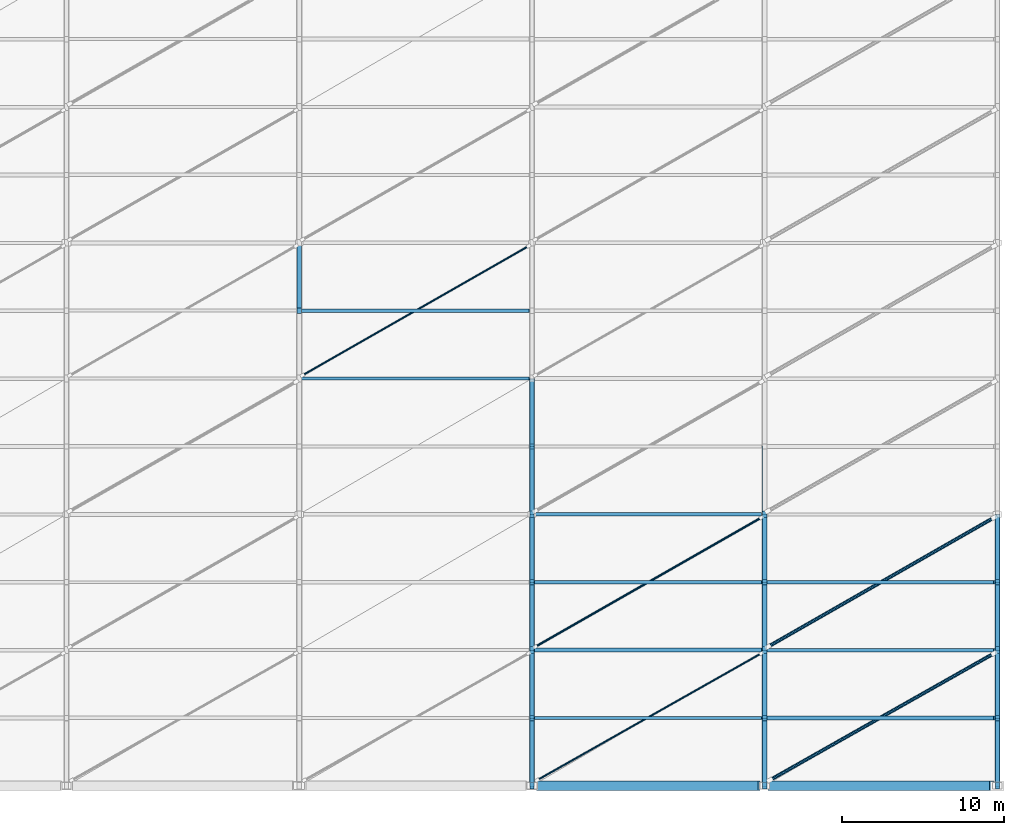
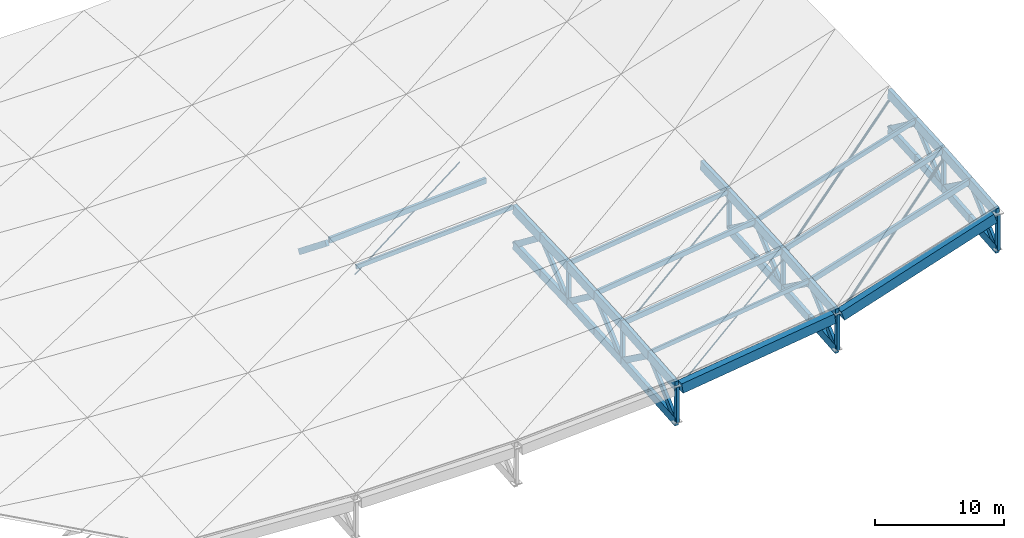
# One storey, part 6 of 22: 37 members, 31 beams.
"""IFC4 building model written with IfcOpenShell, lengths in metres."""

from ifc_helpers import new_model, si_unit, direction, frame, origin, origin_2d, place, context, subcontext, project, spatial, rectangle, hollow_circle, extrude, material, material_profile, profile_set, type_object, element, save


model = new_model("IFC4")

# Units and contexts
model_context = context("Model", 3, precision=1e-05, world=origin(), true_north=direction((0.0, 1.0)))
body_context = subcontext(model_context, "Body", "Model", "MODEL_VIEW")
ifc_project = project(units=[si_unit("LENGTHUNIT", "METRE"), si_unit("AREAUNIT", "SQUARE_METRE"), si_unit("VOLUMEUNIT", "CUBIC_METRE"), si_unit("PLANEANGLEUNIT", "RADIAN"), si_unit("MASSUNIT", "GRAM", prefix="KILO"), si_unit("THERMODYNAMICTEMPERATUREUNIT", "KELVIN")], contexts=[model_context])

# Site, building, storey
site_placement = place(None, origin())
site = spatial("IfcSite", under=ifc_project, at=site_placement, CompositionType="ELEMENT")
building_placement = place(site_placement, origin())
building = spatial("IfcBuilding", under=site, at=building_placement, Name="Nduvali Passage Aquatics Centre", CompositionType="ELEMENT")
storey_placement = place(building_placement, frame((0.0, 0.0, 21.60009765625)))
storey = spatial("IfcBuildingStorey", under=building, at=storey_placement, Name="RF", CompositionType="ELEMENT", Elevation=21.60009765625)

# Beams
ifc_material_1 = material(Name="Glulam GL32c", Category="wood")
ifc_material_profile_1 = material_profile(ifc_material_1, rectangle(XDim=0.320068359375, YDim=0.800048828125, at=origin_2d()), Name="GL32c 320x800")
ifc_profile_set_1 = profile_set([ifc_material_profile_1], Name="Glulam GL32c")
beam_type_1 = type_object("IfcBeamType", Name="STR-BM-GL32-BOT", PredefinedType="BEAM", material=ifc_profile_set_1)
beam_1_placement = place(storey_placement, frame((97.199951171875, 25.199951171875, -11.158447265625), z_axis=(0.0, 0.996548554241, 0.083011921073), x_axis=(-1.0, 0.0, 0.0)))
element("IfcBeam", 1, at=beam_1_placement, inside=storey, type_object=beam_type_1, Name="RF Pool Hall Roof Truss Bottom Chord R6 BC1-1839", PredefinedType="BEAM", context=body_context, shape_type="SweptSolid", body=[
    extrude(rectangle(XDim=0.320068359375, YDim=0.800048828125, at=origin_2d()), origin(), (0.0, 0.0, 1.0), 4.214599609375),
])
beam_2_placement = place(storey_placement, frame((97.199951171875, 29.39990234375, -10.80859375), z_axis=(0.0, 0.996544160125, 0.083064655058), x_axis=(-1.0, 0.0, 0.0)))
element("IfcBeam", 2, at=beam_2_placement, inside=storey, type_object=beam_type_1, Name="RF Pool Hall Roof Truss Bottom Chord R6 BC1-1841", PredefinedType="BEAM", context=body_context, shape_type="SweptSolid", body=[
    extrude(rectangle(XDim=0.320068359375, YDim=0.800048828125, at=origin_2d()), origin(), (0.0, 0.0, 1.0), 4.21484375),
])
for number, where, z_axis, x_axis, name in (
    (3, (97.199951171875, 33.60009765625, -10.45849609375), (0.0, 0.998233110761, 0.059419328339), (-1.0, 0.0, 0.0), "RF Pool Hall Roof Truss Bottom Chord R6 BC1-1843"),
    (4, (97.199951171875, 37.800048828125, -10.20849609375), (0.0, 0.998233110761, 0.059419328339), (-1.0, 0.0, 0.0), "RF Pool Hall Roof Truss Bottom Chord R6 BC1-1845"),
):
    element("IfcBeam", number, at=place(storey_placement, frame(where, z_axis=z_axis, x_axis=x_axis)), inside=storey, type_object=beam_type_1, Name=name, PredefinedType="BEAM", context=body_context, shape_type="SweptSolid", body=[
        extrude(rectangle(XDim=0.320068359375, YDim=0.800048828125, at=origin_2d()), origin(), (0.0, 0.0, 1.0), 4.207275390625),
    ])
for number, where, z_axis, x_axis, name in (
    (5, (97.199951171875, 42.0, -9.95849609375), (0.0, 0.999363668121, 0.035668737559), (-1.0, 0.0, 0.0), "RF Pool Hall Roof Truss Bottom Chord R6 BC1-1847"),
    (6, (97.199951171875, 46.199951171875, -9.80859375), (0.0, 0.999361595677, 0.035726755876), (-1.0, 0.0, 0.0), "RF Pool Hall Roof Truss Bottom Chord R6 BC1-1849"),
):
    element("IfcBeam", number, at=place(storey_placement, frame(where, z_axis=z_axis, x_axis=x_axis)), inside=storey, type_object=beam_type_1, Name=name, PredefinedType="BEAM", context=body_context, shape_type="SweptSolid", body=[
        extrude(rectangle(XDim=0.320068359375, YDim=0.800048828125, at=origin_2d()), origin(), (0.0, 0.0, 1.0), 4.20263671875),
    ])
beam_3_placement = place(storey_placement, frame((111.60009765625, 25.199951171875, -9.32275390625), z_axis=(0.0, 0.996548554241, 0.083011921073), x_axis=(-1.0, 0.0, 0.0)))
element("IfcBeam", 7, at=beam_3_placement, inside=storey, type_object=beam_type_1, Name="RF Pool Hall Roof Truss Bottom Chord R7 BC1-1871", PredefinedType="BEAM", context=body_context, shape_type="SweptSolid", body=[
    extrude(rectangle(XDim=0.320068359375, YDim=0.800048828125, at=origin_2d()), origin(), (0.0, 0.0, 1.0), 4.214599609375),
])
beam_4_placement = place(storey_placement, frame((111.60009765625, 29.39990234375, -8.972900390625), z_axis=(0.0, 0.996544160125, 0.083064655058), x_axis=(-1.0, 0.0, 0.0)))
element("IfcBeam", 8, at=beam_4_placement, inside=storey, type_object=beam_type_1, Name="RF Pool Hall Roof Truss Bottom Chord R7 BC1-1873", PredefinedType="BEAM", context=body_context, shape_type="SweptSolid", body=[
    extrude(rectangle(XDim=0.320068359375, YDim=0.800048828125, at=origin_2d()), origin(), (0.0, 0.0, 1.0), 4.21484375),
])
for number, where, z_axis, x_axis, name in (
    (9, (111.60009765625, 33.60009765625, -8.622802734375), (0.0, 0.998233110761, 0.059419328339), (-1.0, 0.0, 0.0), "RF Pool Hall Roof Truss Bottom Chord R7 BC1-1875"),
    (10, (111.60009765625, 37.800048828125, -8.372802734375), (0.0, 0.998233110761, 0.059419328339), (-1.0, 0.0, 0.0), "RF Pool Hall Roof Truss Bottom Chord R7 BC1-1877"),
):
    element("IfcBeam", number, at=place(storey_placement, frame(where, z_axis=z_axis, x_axis=x_axis)), inside=storey, type_object=beam_type_1, Name=name, PredefinedType="BEAM", context=body_context, shape_type="SweptSolid", body=[
        extrude(rectangle(XDim=0.320068359375, YDim=0.800048828125, at=origin_2d()), origin(), (0.0, 0.0, 1.0), 4.207275390625),
    ])
beam_5_placement = place(storey_placement, frame((126.0, 25.199951171875, -4.8740234375), z_axis=(0.0, 0.996548554241, 0.083011921073), x_axis=(-1.0, 0.0, 0.0)))
element("IfcBeam", 11, at=beam_5_placement, inside=storey, type_object=beam_type_1, Name="RF Pool Hall Roof Truss Bottom Chord R8 BC1-1903", PredefinedType="BEAM", context=body_context, shape_type="SweptSolid", body=[
    extrude(rectangle(XDim=0.320068359375, YDim=0.800048828125, at=origin_2d()), origin(), (0.0, 0.0, 1.0), 4.214599609375),
])
beam_6_placement = place(storey_placement, frame((126.0, 29.39990234375, -4.524169921875), z_axis=(0.0, 0.996544160125, 0.083064655058), x_axis=(-1.0, 0.0, 0.0)))
element("IfcBeam", 12, at=beam_6_placement, inside=storey, type_object=beam_type_1, Name="RF Pool Hall Roof Truss Bottom Chord R8 BC1-1905", PredefinedType="BEAM", context=body_context, shape_type="SweptSolid", body=[
    extrude(rectangle(XDim=0.320068359375, YDim=0.800048828125, at=origin_2d()), origin(), (0.0, 0.0, 1.0), 4.21484375),
])
for number, where, z_axis, x_axis, name in (
    (13, (126.0, 33.60009765625, -4.174072265625), (0.0, 0.998233110761, 0.059419328339), (-1.0, 0.0, 0.0), "RF Pool Hall Roof Truss Bottom Chord R8 BC1-1907"),
    (14, (126.0, 37.800048828125, -3.924072265625), (0.0, 0.998233110761, 0.059419328339), (-1.0, 0.0, 0.0), "RF Pool Hall Roof Truss Bottom Chord R8 BC1-1909"),
):
    element("IfcBeam", number, at=place(storey_placement, frame(where, z_axis=z_axis, x_axis=x_axis)), inside=storey, type_object=beam_type_1, Name=name, PredefinedType="BEAM", context=body_context, shape_type="SweptSolid", body=[
        extrude(rectangle(XDim=0.320068359375, YDim=0.800048828125, at=origin_2d()), origin(), (0.0, 0.0, 1.0), 4.207275390625),
    ])
ifc_material_profile_2 = material_profile(ifc_material_1, rectangle(XDim=0.320068359375, YDim=0.9599609375, at=origin_2d()), Name="GL32c 320x960")
ifc_profile_set_2 = profile_set([ifc_material_profile_2], Name="Glulam GL32c")
beam_type_2 = type_object("IfcBeamType", Name="STR-BM-GL32-END", PredefinedType="BEAM", material=ifc_profile_set_2)
beam_7_placement = place(storey_placement, frame((126.0, 25.199951171875, -1.47412109375), z_axis=(0.0, 0.996543760423, 0.083069450238), x_axis=(-1.0, 0.0, 0.0)))
element("IfcBeam", 15, at=beam_7_placement, inside=storey, type_object=beam_type_2, Name="RF Pool Hall Roof Truss Top Chord R8 TC0-1902", PredefinedType="BEAM", context=body_context, shape_type="SweptSolid", body=[
    extrude(rectangle(XDim=0.320068359375, YDim=0.9599609375, at=origin_2d()), origin(), (0.0, 0.0, 1.0), 4.214599609375),
])
beam_8_placement = place(storey_placement, frame((126.0, 29.39990234375, -1.1240234375), z_axis=(0.0, 0.996548953392, 0.083007129168), x_axis=(-1.0, 0.0, 0.0)))
element("IfcBeam", 16, at=beam_8_placement, inside=storey, type_object=beam_type_2, Name="RF Pool Hall Roof Truss Top Chord R8 TC0-1904", PredefinedType="BEAM", context=body_context, shape_type="SweptSolid", body=[
    extrude(rectangle(XDim=0.320068359375, YDim=0.9599609375, at=origin_2d()), origin(), (0.0, 0.0, 1.0), 4.21484375),
])
for number, where, z_axis, x_axis, name in (
    (17, (126.0, 33.60009765625, -0.774169921875), (0.0, 0.998233110761, 0.059419328339), (-1.0, 0.0, 0.0), "RF Pool Hall Roof Truss Top Chord R8 TC0-1906"),
    (18, (126.0, 37.800048828125, -0.524169921875), (0.0, 0.998233110761, 0.059419328339), (-1.0, 0.0, 0.0), "RF Pool Hall Roof Truss Top Chord R8 TC0-1908"),
):
    element("IfcBeam", number, at=place(storey_placement, frame(where, z_axis=z_axis, x_axis=x_axis)), inside=storey, type_object=beam_type_2, Name=name, PredefinedType="BEAM", context=body_context, shape_type="SweptSolid", body=[
        extrude(rectangle(XDim=0.320068359375, YDim=0.9599609375, at=origin_2d()), origin(), (0.0, 0.0, 1.0), 4.207275390625),
    ])
ifc_material_profile_3 = material_profile(ifc_material_1, rectangle(XDim=0.320068359375, YDim=0.89990234375, at=origin_2d()), Name="GL32c 320x900")
ifc_profile_set_3 = profile_set([ifc_material_profile_3], Name="Glulam GL32c")
beam_type_3 = type_object("IfcBeamType", Name="STR-BM-GL32-TOP", PredefinedType="BEAM", material=ifc_profile_set_3)
beam_9_placement = place(storey_placement, frame((97.199951171875, 25.199951171875, -7.758544921875), z_axis=(0.0, 0.996543760423, 0.083069450238), x_axis=(-1.0, 0.0, 0.0)))
element("IfcBeam", 19, at=beam_9_placement, inside=storey, type_object=beam_type_3, Name="RF Pool Hall Roof Truss Top Chord R6 TC1-1838", PredefinedType="BEAM", context=body_context, shape_type="SweptSolid", body=[
    extrude(rectangle(XDim=0.320068359375, YDim=0.89990234375, at=origin_2d()), origin(), (0.0, 0.0, 1.0), 4.214599609375),
])
beam_10_placement = place(storey_placement, frame((97.199951171875, 29.39990234375, -7.408447265625), z_axis=(0.0, 0.996548953392, 0.083007129168), x_axis=(-1.0, 0.0, 0.0)))
element("IfcBeam", 20, at=beam_10_placement, inside=storey, type_object=beam_type_3, Name="RF Pool Hall Roof Truss Top Chord R6 TC1-1840", PredefinedType="BEAM", context=body_context, shape_type="SweptSolid", body=[
    extrude(rectangle(XDim=0.320068359375, YDim=0.89990234375, at=origin_2d()), origin(), (0.0, 0.0, 1.0), 4.21484375),
])
for number, where, z_axis, x_axis, name in (
    (21, (97.199951171875, 33.60009765625, -7.05859375), (0.0, 0.998233110761, 0.059419328339), (-1.0, 0.0, 0.0), "RF Pool Hall Roof Truss Top Chord R6 TC1-1842"),
    (22, (97.199951171875, 37.800048828125, -6.80859375), (0.0, 0.998233110761, 0.059419328339), (-1.0, 0.0, 0.0), "RF Pool Hall Roof Truss Top Chord R6 TC1-1844"),
):
    element("IfcBeam", number, at=place(storey_placement, frame(where, z_axis=z_axis, x_axis=x_axis)), inside=storey, type_object=beam_type_3, Name=name, PredefinedType="BEAM", context=body_context, shape_type="SweptSolid", body=[
        extrude(rectangle(XDim=0.320068359375, YDim=0.89990234375, at=origin_2d()), origin(), (0.0, 0.0, 1.0), 4.207275390625),
    ])
for number, where, z_axis, x_axis, name in (
    (23, (97.199951171875, 42.0, -6.55859375), (0.0, 0.999361595677, 0.035726755876), (-1.0, 0.0, 0.0), "RF Pool Hall Roof Truss Top Chord R6 TC1-1846"),
    (24, (97.199951171875, 46.199951171875, -6.408447265625), (0.0, 0.999363668121, 0.035668737559), (-1.0, 0.0, 0.0), "RF Pool Hall Roof Truss Top Chord R6 TC1-1848"),
):
    element("IfcBeam", number, at=place(storey_placement, frame(where, z_axis=z_axis, x_axis=x_axis)), inside=storey, type_object=beam_type_3, Name=name, PredefinedType="BEAM", context=body_context, shape_type="SweptSolid", body=[
        extrude(rectangle(XDim=0.320068359375, YDim=0.89990234375, at=origin_2d()), origin(), (0.0, 0.0, 1.0), 4.20263671875),
    ])
beam_11_placement = place(storey_placement, frame((111.60009765625, 25.199951171875, -5.9228515625), z_axis=(0.0, 0.996543760423, 0.083069450238), x_axis=(-1.0, 0.0, 0.0)))
element("IfcBeam", 25, at=beam_11_placement, inside=storey, type_object=beam_type_3, Name="RF Pool Hall Roof Truss Top Chord R7 TC1-1870", PredefinedType="BEAM", context=body_context, shape_type="SweptSolid", body=[
    extrude(rectangle(XDim=0.320068359375, YDim=0.89990234375, at=origin_2d()), origin(), (0.0, 0.0, 1.0), 4.214599609375),
])
beam_12_placement = place(storey_placement, frame((111.60009765625, 29.39990234375, -5.57275390625), z_axis=(0.0, 0.996548953392, 0.083007129168), x_axis=(-1.0, 0.0, 0.0)))
element("IfcBeam", 26, at=beam_12_placement, inside=storey, type_object=beam_type_3, Name="RF Pool Hall Roof Truss Top Chord R7 TC1-1872", PredefinedType="BEAM", context=body_context, shape_type="SweptSolid", body=[
    extrude(rectangle(XDim=0.320068359375, YDim=0.89990234375, at=origin_2d()), origin(), (0.0, 0.0, 1.0), 4.21484375),
])
for number, where, z_axis, x_axis, name in (
    (27, (111.60009765625, 33.60009765625, -5.222900390625), (0.0, 0.998233110761, 0.059419328339), (-1.0, 0.0, 0.0), "RF Pool Hall Roof Truss Top Chord R7 TC1-1874"),
    (28, (111.60009765625, 37.800048828125, -4.972900390625), (0.0, 0.998233110761, 0.059419328339), (-1.0, 0.0, 0.0), "RF Pool Hall Roof Truss Top Chord R7 TC1-1876"),
):
    element("IfcBeam", number, at=place(storey_placement, frame(where, z_axis=z_axis, x_axis=x_axis)), inside=storey, type_object=beam_type_3, Name=name, PredefinedType="BEAM", context=body_context, shape_type="SweptSolid", body=[
        extrude(rectangle(XDim=0.320068359375, YDim=0.89990234375, at=origin_2d()), origin(), (0.0, 0.0, 1.0), 4.207275390625),
    ])
beam_13_placement = place(storey_placement, frame((111.60009765625, 42.0, -4.722900390625), z_axis=(0.0, 0.999361595677, 0.035726755876), x_axis=(-1.0, 0.0, 0.0)))
element("IfcBeam", 29, at=beam_13_placement, inside=storey, type_object=beam_type_3, Name="RF Pool Hall Roof Truss Top Chord R7 TC1-1878", PredefinedType="BEAM", context=body_context, shape_type="SweptSolid", body=[
    extrude(rectangle(XDim=0.320068359375, YDim=0.89990234375, at=origin_2d()), origin(), (0.0, 0.0, 1.0), 4.20263671875),
])
ifc_material_2 = material(Name="Concrete C40/50", Category="concrete")
ifc_material_profile_4 = material_profile(ifc_material_2, rectangle(XDim=0.60009765625, YDim=0.949951171875, at=origin_2d()), Name="RC 600x950")
ifc_profile_set_4 = profile_set([ifc_material_profile_4], Name="Concrete C40/50")
beam_type_4 = type_object("IfcBeamType", Name="STR-BM-RC6095-EXT", PredefinedType="BEAM", material=ifc_profile_set_4)
beam_14_placement = place(storey_placement, frame((97.550048828125, 25.199951171875, -7.9814453125), z_axis=(0.991142078777, 0.0, 0.132805796852), x_axis=(0.0, 1.0, 0.0)))
element("IfcBeam", 30, at=beam_14_placement, inside=storey, type_object=beam_type_4, Name="RF Pool Hall Perimeter Ring Beam B1E-1669", PredefinedType="BEAM", context=body_context, shape_type="SweptSolid", body=[
    extrude(rectangle(XDim=0.60009765625, YDim=0.949951171875, at=origin_2d()), origin(), (0.0, 0.0, 1.0), 13.822509765625),
])
beam_15_placement = place(storey_placement, frame((111.949951171875, 25.199951171875, -6.145751953125), z_axis=(0.950496768294, 0.0, 0.310734442027), x_axis=(0.0, 1.0, 0.0)))
element("IfcBeam", 31, at=beam_15_placement, inside=storey, type_object=beam_type_4, Name="RF Pool Hall Perimeter Ring Beam B1E-1670", PredefinedType="BEAM", context=body_context, shape_type="SweptSolid", body=[
    extrude(rectangle(XDim=0.60009765625, YDim=0.949951171875, at=origin_2d()), origin(), (0.0, 0.0, 1.0), 14.41357421875),
])

# Members
ifc_material_3 = material(Name="Steel S355", Category="steel")
ifc_material_profile_5 = material_profile(ifc_material_3, hollow_circle(Radius=0.05712890625, WallThickness=0.00634765625, at=origin_2d()), Name="CHS 114.3x6.3")
ifc_profile_set_5 = profile_set([ifc_material_profile_5], Name="Steel S355")
member_type_1 = type_object("IfcMemberType", Name="STR-MEM-CHS114", PredefinedType="BRACE", material=ifc_profile_set_5)
member_1_placement = place(storey_placement, frame((83.0, 50.60009765625, -7.627685546875), z_axis=(0.86692029263, 0.49538302436, 0.055180299039), x_axis=(-0.496138938357, 0.868243142124, 0.0)))
element("IfcMember", 32, at=member_1_placement, inside=storey, type_object=member_type_1, Name="Pool Hall Roof Wind Brace B5-P4A", PredefinedType="BRACE", context=body_context, shape_type="SweptSolid", body=[
    extrude(hollow_circle(Radius=0.05712890625, WallThickness=0.00634765625, at=origin_2d()), origin(), (0.0, 0.0, 1.0), 16.149169921875),
])
member_2_placement = place(storey_placement, frame((97.52001953125, 25.550048828125, -8.33642578125), z_axis=(0.859635978687, 0.486172441123, 0.157042483548), x_axis=(-0.492280735282, 0.870436486868, 0.0)))
element("IfcMember", 33, at=member_2_placement, inside=storey, type_object=member_type_1, Name="Pool Hall Roof Wind Brace B6-P1A", PredefinedType="BRACE", context=body_context, shape_type="SweptSolid", body=[
    extrude(hollow_circle(Radius=0.05712890625, WallThickness=0.00634765625, at=origin_2d()), origin(), (0.0, 0.0, 1.0), 16.146240234375),
])
ifc_material_profile_6 = material_profile(ifc_material_3, hollow_circle(Radius=0.06982421875, WallThickness=0.00634765625, at=origin_2d()), Name="CHS 139.7x6.3")
ifc_profile_set_6 = profile_set([ifc_material_profile_6], Name="Steel S355")
member_type_2 = type_object("IfcMemberType", Name="STR-MEM-CHS139", PredefinedType="BRACE", material=ifc_profile_set_6)
member_3_placement = place(storey_placement, frame((97.39990234375, 33.800048828125, -7.636474609375), z_axis=(0.859275049652, 0.491014314087, 0.143357359096), x_axis=(-0.496138938357, 0.868243142124, 0.0)))
element("IfcMember", 34, at=member_3_placement, inside=storey, type_object=member_type_2, Name="Pool Hall Roof Wind Brace B6-P2A", PredefinedType="BRACE", context=body_context, shape_type="SweptSolid", body=[
    extrude(hollow_circle(Radius=0.06982421875, WallThickness=0.00634765625, at=origin_2d()), origin(), (0.0, 0.0, 1.0), 16.292724609375),
])
ifc_material_profile_7 = material_profile(ifc_material_3, hollow_circle(Radius=0.109619140625, WallThickness=0.008056640625, at=origin_2d()), Name="CHS 219.1x8.0")
ifc_profile_set_7 = profile_set([ifc_material_profile_7], Name="Steel S355")
member_type_3 = type_object("IfcMemberType", Name="STR-MEM-CHS219", PredefinedType="BRACE", material=ifc_profile_set_7)
member_4_placement = place(storey_placement, frame((111.919921875, 25.550048828125, -6.500732421875), z_axis=(0.827875824582, 0.468202054206, 0.30888259179), x_axis=(-0.49227417479, 0.870440197162, 0.0)))
element("IfcMember", 35, at=member_4_placement, inside=storey, type_object=member_type_3, Name="Pool Hall Roof Wind Brace B7-P1A", PredefinedType="BRACE", context=body_context, shape_type="SweptSolid", body=[
    extrude(hollow_circle(Radius=0.109619140625, WallThickness=0.008056640625, at=origin_2d()), origin(), (0.0, 0.0, 1.0), 16.765869140625),
])
member_5_placement = place(storey_placement, frame((111.800048828125, 33.800048828125, -5.80078125), z_axis=(0.829596967061, 0.474055409749, 0.295026000092), x_axis=(-0.496138938357, 0.868243142124, 0.0)))
element("IfcMember", 36, at=member_5_placement, inside=storey, type_object=member_type_3, Name="Pool Hall Roof Wind Brace B7-P2A", PredefinedType="BRACE", context=body_context, shape_type="SweptSolid", body=[
    extrude(hollow_circle(Radius=0.109619140625, WallThickness=0.008056640625, at=origin_2d()), origin(), (0.0, 0.0, 1.0), 16.875732421875),
])
ifc_material_4 = material(Name="Glulam GL28h", Category="wood")
ifc_material_profile_8 = material_profile(ifc_material_4, rectangle(XDim=0.260009765625, YDim=0.52001953125, at=origin_2d()), Name="GL28h 260x520")
ifc_profile_set_8 = profile_set([ifc_material_profile_8], Name="Glulam GL28h")
member_type_4 = type_object("IfcMemberType", Name="STR-MEM-GL-DIAG", PredefinedType="CHORD", material=ifc_profile_set_8)
member_6_placement = place(storey_placement, frame((82.800048828125, 54.60009765625, -6.99951171875), z_axis=(0.0, 0.781763575378, -0.623574945145), x_axis=(-1.0, 0.0, 0.0)))
element("IfcMember", 37, at=member_6_placement, inside=storey, type_object=member_type_4, Name="Pool Hall Roof Truss Web Diagonal R5-8", PredefinedType="CHORD", context=body_context, shape_type="SweptSolid", body=[
    extrude(rectangle(XDim=0.260009765625, YDim=0.52001953125, at=origin_2d()), origin(), (0.0, 0.0, 1.0), 5.372314453125),
])
member_7_placement = place(storey_placement, frame((97.199951171875, 25.199951171875, -11.158447265625), z_axis=(0.0, 0.745933814853, 0.666020077669), x_axis=(-1.0, 0.0, 0.0)))
element("IfcMember", 38, at=member_7_placement, inside=storey, type_object=member_type_4, Name="Pool Hall Roof Truss Web Diagonal R6-1", PredefinedType="CHORD", context=body_context, shape_type="SweptSolid", body=[
    extrude(rectangle(XDim=0.260009765625, YDim=0.52001953125, at=origin_2d()), origin(), (0.0, 0.0, 1.0), 5.63037109375),
])
member_8_placement = place(storey_placement, frame((97.199951171875, 29.39990234375, -7.408447265625), z_axis=(0.0, 0.809160952466, -0.587587059937), x_axis=(-1.0, 0.0, 0.0)))
element("IfcMember", 39, at=member_8_placement, inside=storey, type_object=member_type_4, Name="Pool Hall Roof Truss Web Diagonal R6-2", PredefinedType="CHORD", context=body_context, shape_type="SweptSolid", body=[
    extrude(rectangle(XDim=0.260009765625, YDim=0.52001953125, at=origin_2d()), origin(), (0.0, 0.0, 1.0), 5.19091796875),
])
member_9_placement = place(storey_placement, frame((97.199951171875, 33.60009765625, -10.45849609375), z_axis=(0.0, 0.754803851974, 0.655950566007), x_axis=(-1.0, 0.0, 0.0)))
element("IfcMember", 40, at=member_9_placement, inside=storey, type_object=member_type_4, Name="Pool Hall Roof Truss Web Diagonal R6-3", PredefinedType="CHORD", context=body_context, shape_type="SweptSolid", body=[
    extrude(rectangle(XDim=0.260009765625, YDim=0.52001953125, at=origin_2d()), origin(), (0.0, 0.0, 1.0), 5.564208984375),
])
member_10_placement = place(storey_placement, frame((97.199951171875, 37.800048828125, -6.80859375), z_axis=(0.0, 0.800005580426, -0.599992559359), x_axis=(-1.0, 0.0, 0.0)))
element("IfcMember", 41, at=member_10_placement, inside=storey, type_object=member_type_4, Name="Pool Hall Roof Truss Web Diagonal R6-4", PredefinedType="CHORD", context=body_context, shape_type="SweptSolid", body=[
    extrude(rectangle(XDim=0.260009765625, YDim=0.52001953125, at=origin_2d()), origin(), (0.0, 0.0, 1.0), 5.25),
])
member_11_placement = place(storey_placement, frame((97.199951171875, 42.0, -9.95849609375), z_axis=(0.0, 0.763722969403, 0.645544131726), x_axis=(-1.0, 0.0, 0.0)))
element("IfcMember", 42, at=member_11_placement, inside=storey, type_object=member_type_4, Name="Pool Hall Roof Truss Web Diagonal R6-5", PredefinedType="CHORD", context=body_context, shape_type="SweptSolid", body=[
    extrude(rectangle(XDim=0.260009765625, YDim=0.52001953125, at=origin_2d()), origin(), (0.0, 0.0, 1.0), 5.499267578125),
])
member_12_placement = place(storey_placement, frame((97.199951171875, 46.199951171875, -6.408447265625), z_axis=(0.0, 0.790867256885, -0.611987730259), x_axis=(-1.0, 0.0, 0.0)))
element("IfcMember", 43, at=member_12_placement, inside=storey, type_object=member_type_4, Name="Pool Hall Roof Truss Web Diagonal R6-6", PredefinedType="CHORD", context=body_context, shape_type="SweptSolid", body=[
    extrude(rectangle(XDim=0.260009765625, YDim=0.52001953125, at=origin_2d()), origin(), (0.0, 0.0, 1.0), 5.310546875),
])
member_13_placement = place(storey_placement, frame((111.60009765625, 25.199951171875, -9.32275390625), z_axis=(0.0, 0.745933814853, 0.666020077669), x_axis=(-1.0, 0.0, 0.0)))
element("IfcMember", 44, at=member_13_placement, inside=storey, type_object=member_type_4, Name="Pool Hall Roof Truss Web Diagonal R7-1", PredefinedType="CHORD", context=body_context, shape_type="SweptSolid", body=[
    extrude(rectangle(XDim=0.260009765625, YDim=0.52001953125, at=origin_2d()), origin(), (0.0, 0.0, 1.0), 5.63037109375),
])
member_14_placement = place(storey_placement, frame((111.60009765625, 29.39990234375, -5.57275390625), z_axis=(0.0, 0.809160952466, -0.587587059937), x_axis=(-1.0, 0.0, 0.0)))
element("IfcMember", 45, at=member_14_placement, inside=storey, type_object=member_type_4, Name="Pool Hall Roof Truss Web Diagonal R7-2", PredefinedType="CHORD", context=body_context, shape_type="SweptSolid", body=[
    extrude(rectangle(XDim=0.260009765625, YDim=0.52001953125, at=origin_2d()), origin(), (0.0, 0.0, 1.0), 5.19091796875),
])
member_15_placement = place(storey_placement, frame((111.60009765625, 33.60009765625, -8.622802734375), z_axis=(0.0, 0.754803851974, 0.655950566007), x_axis=(-1.0, 0.0, 0.0)))
element("IfcMember", 46, at=member_15_placement, inside=storey, type_object=member_type_4, Name="Pool Hall Roof Truss Web Diagonal R7-3", PredefinedType="CHORD", context=body_context, shape_type="SweptSolid", body=[
    extrude(rectangle(XDim=0.260009765625, YDim=0.52001953125, at=origin_2d()), origin(), (0.0, 0.0, 1.0), 5.564208984375),
])
member_16_placement = place(storey_placement, frame((111.60009765625, 37.800048828125, -4.972900390625), z_axis=(0.0, 0.800005580426, -0.599992559359), x_axis=(-1.0, 0.0, 0.0)))
element("IfcMember", 47, at=member_16_placement, inside=storey, type_object=member_type_4, Name="Pool Hall Roof Truss Web Diagonal R7-4", PredefinedType="CHORD", context=body_context, shape_type="SweptSolid", body=[
    extrude(rectangle(XDim=0.260009765625, YDim=0.52001953125, at=origin_2d()), origin(), (0.0, 0.0, 1.0), 5.25),
])
member_17_placement = place(storey_placement, frame((126.0, 25.199951171875, -4.8740234375), z_axis=(0.0, 0.745933814853, 0.666020077669), x_axis=(-1.0, 0.0, 0.0)))
element("IfcMember", 48, at=member_17_placement, inside=storey, type_object=member_type_4, Name="Pool Hall Roof Truss Web Diagonal R8-1", PredefinedType="CHORD", context=body_context, shape_type="SweptSolid", body=[
    extrude(rectangle(XDim=0.260009765625, YDim=0.52001953125, at=origin_2d()), origin(), (0.0, 0.0, 1.0), 5.63037109375),
])
member_18_placement = place(storey_placement, frame((126.0, 29.39990234375, -1.1240234375), z_axis=(0.0, 0.809160952466, -0.587587059937), x_axis=(-1.0, 0.0, 0.0)))
element("IfcMember", 49, at=member_18_placement, inside=storey, type_object=member_type_4, Name="Pool Hall Roof Truss Web Diagonal R8-2", PredefinedType="CHORD", context=body_context, shape_type="SweptSolid", body=[
    extrude(rectangle(XDim=0.260009765625, YDim=0.52001953125, at=origin_2d()), origin(), (0.0, 0.0, 1.0), 5.19091796875),
])
member_19_placement = place(storey_placement, frame((126.0, 33.60009765625, -4.174072265625), z_axis=(0.0, 0.754803851974, 0.655950566007), x_axis=(-1.0, 0.0, 0.0)))
element("IfcMember", 50, at=member_19_placement, inside=storey, type_object=member_type_4, Name="Pool Hall Roof Truss Web Diagonal R8-3", PredefinedType="CHORD", context=body_context, shape_type="SweptSolid", body=[
    extrude(rectangle(XDim=0.260009765625, YDim=0.52001953125, at=origin_2d()), origin(), (0.0, 0.0, 1.0), 5.564208984375),
])
member_20_placement = place(storey_placement, frame((126.0, 37.800048828125, -0.524169921875), z_axis=(0.0, 0.800005580426, -0.599992559359), x_axis=(-1.0, 0.0, 0.0)))
element("IfcMember", 51, at=member_20_placement, inside=storey, type_object=member_type_4, Name="Pool Hall Roof Truss Web Diagonal R8-4", PredefinedType="CHORD", context=body_context, shape_type="SweptSolid", body=[
    extrude(rectangle(XDim=0.260009765625, YDim=0.52001953125, at=origin_2d()), origin(), (0.0, 0.0, 1.0), 5.25),
])
ifc_material_profile_9 = material_profile(ifc_material_4, rectangle(XDim=0.179931640625, YDim=0.39990234375, at=origin_2d()), Name="GL28h 180x400")
ifc_profile_set_9 = profile_set([ifc_material_profile_9], Name="Glulam GL28h")
member_type_5 = type_object("IfcMemberType", Name="STR-MEM-GL-PUR1", PredefinedType="PURLIN", material=ifc_profile_set_9)
member_21_placement = place(storey_placement, frame((82.9599609375, 50.39990234375, -6.78369140625), z_axis=(0.998494679989, 0.0, 0.054848646591), x_axis=(0.0, 1.0, 0.0)))
element("IfcMember", 52, at=member_21_placement, inside=storey, type_object=member_type_5, Name="Pool Hall Saddle Roof Purlin B5-6", PredefinedType="PURLIN", context=body_context, shape_type="SweptSolid", body=[
    extrude(rectangle(XDim=0.179931640625, YDim=0.39990234375, at=origin_2d()), origin(), (0.0, 0.0, 1.0), 14.101318359375),
])
member_22_placement = place(storey_placement, frame((97.360107421875, 29.39990234375, -7.131103515625), z_axis=(0.991971922076, 0.0, 0.126458316504), x_axis=(0.0, 1.0, 0.0)))
element("IfcMember", 53, at=member_22_placement, inside=storey, type_object=member_type_5, Name="Pool Hall Saddle Roof Purlin B6-1", PredefinedType="PURLIN", context=body_context, shape_type="SweptSolid", body=[
    extrude(rectangle(XDim=0.179931640625, YDim=0.39990234375, at=origin_2d()), origin(), (0.0, 0.0, 1.0), 14.19384765625),
])
ifc_material_profile_10 = material_profile(ifc_material_4, rectangle(XDim=0.219970703125, YDim=0.47998046875, at=origin_2d()), Name="GL28h 220x480")
ifc_profile_set_10 = profile_set([ifc_material_profile_10], Name="Glulam GL28h")
member_type_6 = type_object("IfcMemberType", Name="STR-MEM-GL-PUR3", PredefinedType="PURLIN", material=ifc_profile_set_10)
member_23_placement = place(storey_placement, frame((97.360107421875, 37.800048828125, -6.571044921875), z_axis=(0.991971922076, 0.0, 0.126458316504), x_axis=(0.0, 1.0, 0.0)))
element("IfcMember", 54, at=member_23_placement, inside=storey, type_object=member_type_6, Name="Pool Hall Saddle Roof Purlin B6-3", PredefinedType="PURLIN", context=body_context, shape_type="SweptSolid", body=[
    extrude(rectangle(XDim=0.219970703125, YDim=0.47998046875, at=origin_2d()), origin(), (0.0, 0.0, 1.0), 14.19384765625),
])
member_24_placement = place(storey_placement, frame((111.760009765625, 33.60009765625, -4.9560546875), z_axis=(0.954882134092, 0.0, 0.296985033278), x_axis=(0.0, 1.0, 0.0)))
element("IfcMember", 55, at=member_24_placement, inside=storey, type_object=member_type_6, Name="Pool Hall Saddle Roof Purlin B7-2", PredefinedType="PURLIN", context=body_context, shape_type="SweptSolid", body=[
    extrude(rectangle(XDim=0.219970703125, YDim=0.47998046875, at=origin_2d()), origin(), (0.0, 0.0, 1.0), 14.745361328125),
])
ifc_material_profile_11 = material_profile(ifc_material_4, rectangle(XDim=0.199951171875, YDim=0.43994140625, at=origin_2d()), Name="GL28h 200x440")
ifc_profile_set_11 = profile_set([ifc_material_profile_11], Name="Glulam GL28h")
member_type_7 = type_object("IfcMemberType", Name="STR-MEM-GL-PUR4", PredefinedType="PURLIN", material=ifc_profile_set_11)
member_25_placement = place(storey_placement, frame((97.360107421875, 42.0, -6.301025390625), z_axis=(0.991971922076, 0.0, 0.126458316504), x_axis=(0.0, 1.0, 0.0)))
element("IfcMember", 56, at=member_25_placement, inside=storey, type_object=member_type_7, Name="Pool Hall Saddle Roof Purlin B6-4", PredefinedType="PURLIN", context=body_context, shape_type="SweptSolid", body=[
    extrude(rectangle(XDim=0.199951171875, YDim=0.43994140625, at=origin_2d()), origin(), (0.0, 0.0, 1.0), 14.19384765625),
])
member_26_placement = place(storey_placement, frame((111.760009765625, 37.800048828125, -4.68603515625), z_axis=(0.954882134092, 0.0, 0.296985033278), x_axis=(0.0, 1.0, 0.0)))
element("IfcMember", 57, at=member_26_placement, inside=storey, type_object=member_type_7, Name="Pool Hall Saddle Roof Purlin B7-3", PredefinedType="PURLIN", context=body_context, shape_type="SweptSolid", body=[
    extrude(rectangle(XDim=0.199951171875, YDim=0.43994140625, at=origin_2d()), origin(), (0.0, 0.0, 1.0), 14.745361328125),
])
ifc_material_profile_12 = material_profile(ifc_material_4, rectangle(XDim=0.239990234375, YDim=0.52001953125, at=origin_2d()), Name="GL28h 240x520")
ifc_profile_set_12 = profile_set([ifc_material_profile_12], Name="Glulam GL28h")
member_type_8 = type_object("IfcMemberType", Name="STR-MEM-GL-PUR5", PredefinedType="PURLIN", material=ifc_profile_set_12)
member_27_placement = place(storey_placement, frame((82.9599609375, 54.60009765625, -6.793701171875), z_axis=(0.998494679989, 0.0, 0.054848646591), x_axis=(0.0, 1.0, 0.0)))
element("IfcMember", 58, at=member_27_placement, inside=storey, type_object=member_type_8, Name="Pool Hall Saddle Roof Purlin B5-7", PredefinedType="PURLIN", context=body_context, shape_type="SweptSolid", body=[
    extrude(rectangle(XDim=0.239990234375, YDim=0.52001953125, at=origin_2d()), origin(), (0.0, 0.0, 1.0), 14.101318359375),
])
member_28_placement = place(storey_placement, frame((97.360107421875, 33.60009765625, -6.841064453125), z_axis=(0.991971922076, 0.0, 0.126458316504), x_axis=(0.0, 1.0, 0.0)))
element("IfcMember", 59, at=member_28_placement, inside=storey, type_object=member_type_8, Name="Pool Hall Saddle Roof Purlin B6-2", PredefinedType="PURLIN", context=body_context, shape_type="SweptSolid", body=[
    extrude(rectangle(XDim=0.239990234375, YDim=0.52001953125, at=origin_2d()), origin(), (0.0, 0.0, 1.0), 14.19384765625),
])
member_29_placement = place(storey_placement, frame((111.760009765625, 29.39990234375, -5.325927734375), z_axis=(0.954882134092, 0.0, 0.296985033278), x_axis=(0.0, 1.0, 0.0)))
element("IfcMember", 60, at=member_29_placement, inside=storey, type_object=member_type_8, Name="Pool Hall Saddle Roof Purlin B7-1", PredefinedType="PURLIN", context=body_context, shape_type="SweptSolid", body=[
    extrude(rectangle(XDim=0.239990234375, YDim=0.52001953125, at=origin_2d()), origin(), (0.0, 0.0, 1.0), 14.745361328125),
])
ifc_material_profile_13 = material_profile(ifc_material_4, rectangle(XDim=0.260009765625, YDim=0.419921875, at=origin_2d()), Name="GL28h 260x420")
ifc_profile_set_13 = profile_set([ifc_material_profile_13], Name="Glulam GL28h")
member_type_9 = type_object("IfcMemberType", Name="STR-MEM-GL-VERT", PredefinedType="STRUT", material=ifc_profile_set_13)
for number, where, z_axis, x_axis, name in (
    (61, (97.199951171875, 25.199951171875, -11.158447265625), (0.0, 0.0, 1.0), (1.0, 0.0, 0.0), "Pool Hall Roof Truss Vertical Strut R6-1"),
    (62, (97.199951171875, 33.60009765625, -10.45849609375), (0.0, 0.0, 1.0), (1.0, 0.0, 0.0), "Pool Hall Roof Truss Vertical Strut R6-2"),
    (63, (97.199951171875, 42.0, -9.95849609375), (0.0, 0.0, 1.0), (1.0, 0.0, 0.0), "Pool Hall Roof Truss Vertical Strut R6-3"),
    (64, (111.60009765625, 25.199951171875, -9.32275390625), (0.0, 0.0, 1.0), (1.0, 0.0, 0.0), "Pool Hall Roof Truss Vertical Strut R7-1"),
    (65, (111.60009765625, 33.60009765625, -8.622802734375), (0.0, 0.0, 1.0), (1.0, 0.0, 0.0), "Pool Hall Roof Truss Vertical Strut R7-2"),
    (66, (111.60009765625, 42.0, -8.122802734375), (0.0, 0.0, 1.0), (1.0, 0.0, 0.0), "Pool Hall Roof Truss Vertical Strut R7-3"),
    (67, (126.0, 25.199951171875, -4.8740234375), (0.0, 0.0, 1.0), (1.0, 0.0, 0.0), "Pool Hall Roof Truss Vertical Strut R8-1"),
    (68, (126.0, 33.60009765625, -4.174072265625), (0.0, 0.0, 1.0), (1.0, 0.0, 0.0), "Pool Hall Roof Truss Vertical Strut R8-2"),
):
    element("IfcMember", number, at=place(storey_placement, frame(where, z_axis=z_axis, x_axis=x_axis)), inside=storey, type_object=member_type_9, Name=name, PredefinedType="STRUT", context=body_context, shape_type="SweptSolid", body=[
        extrude(rectangle(XDim=0.260009765625, YDim=0.419921875, at=origin_2d()), origin(), (0.0, 0.0, 1.0), 3.39990234375),
    ])

save(model, "model.ifc")
